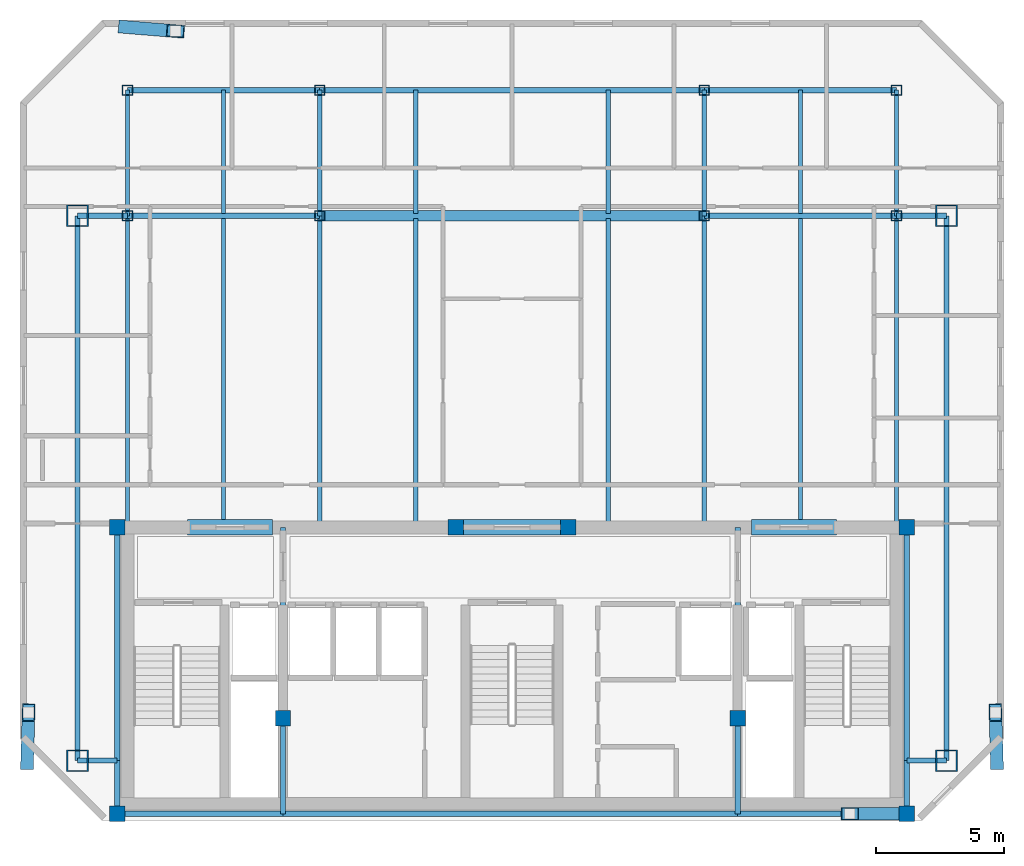
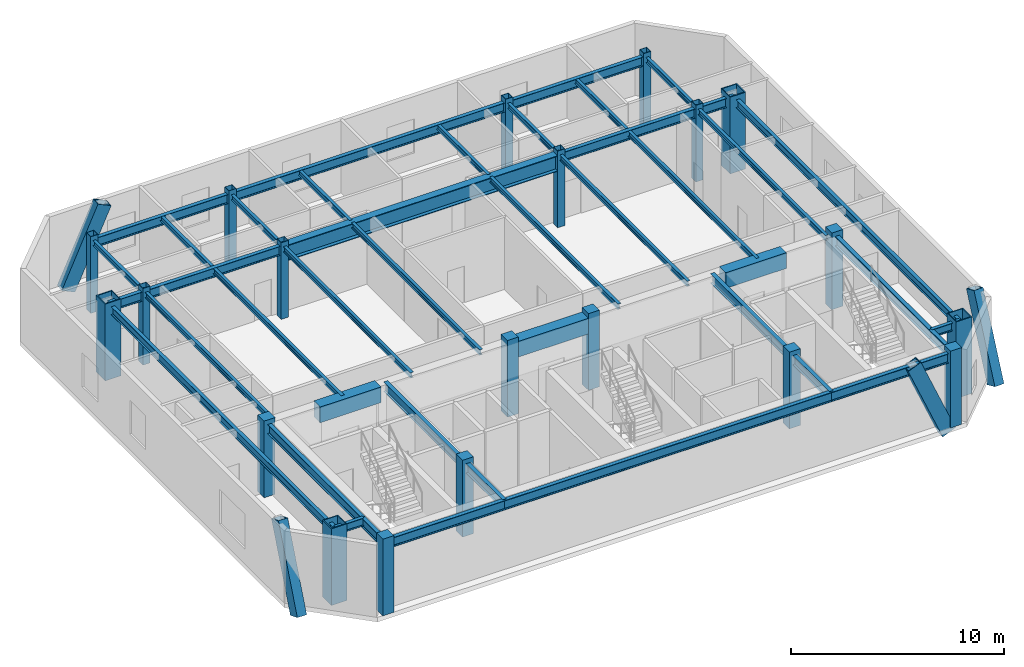
# One storey, part 1 of 6: 42 beams, 20 columns, 4 members.
"""IFC4 building model written with IfcOpenShell, lengths in metres."""

from ifc_helpers import new_model, si_unit, direction, frame, origin, origin_2d, place, context, subcontext, project, spatial, rectangle, hollow_rectangle, i_section, extrude, material, material_profile, profile_set, type_object, element, save


model = new_model("IFC4")

# Units and contexts
model_context = context("Model", 3, precision=1e-05, world=origin(), true_north=direction((0.0, 1.0)))
body_context = subcontext(model_context, "Body", "Model", "MODEL_VIEW")
ifc_project = project(units=[si_unit("LENGTHUNIT", "METRE"), si_unit("AREAUNIT", "SQUARE_METRE"), si_unit("VOLUMEUNIT", "CUBIC_METRE"), si_unit("PLANEANGLEUNIT", "RADIAN"), si_unit("MASSUNIT", "GRAM", prefix="KILO")], contexts=[model_context])

# Site, building, storey
site_placement = place(None, origin())
site = spatial("IfcSite", under=ifc_project, at=site_placement, CompositionType="ELEMENT")
building_placement = place(site_placement, origin())
building = spatial("IfcBuilding", under=site, at=building_placement, Name="Ventersveld Concourse Tower", CompositionType="ELEMENT")
storey_placement = place(building_placement, frame((0.0, 0.0, 349.050048828125)))
storey = spatial("IfcBuildingStorey", under=building, at=storey_placement, Name="L86", CompositionType="ELEMENT", Elevation=349.050048828125)

# Columns
ifc_material_1 = material(Name="Concrete C50/60", Category="concrete")
ifc_material_profile_1 = material_profile(ifc_material_1, rectangle(XDim=0.60009765625, YDim=0.60009765625, at=origin_2d()), Name="RC 600x600")
ifc_profile_set_1 = profile_set([ifc_material_profile_1], Name="Concrete C50/60")
column_type_1 = type_object("IfcColumnType", Name="COL-RC600", PredefinedType="COLUMN", material=ifc_profile_set_1)
for number, where, z_axis, x_axis, name in (
    (1, (13.35009765625, 0.280029296875, 0.0), (0.0, 0.0, 1.0), (1.0, 0.0, 0.0), "L86 Core Spine Column CC-SW"),
    (2, (44.14990234375, 0.280029296875, 0.0), (0.0, 0.0, 1.0), (1.0, 0.0, 0.0), "L86 Core Spine Column CC-SE"),
    (3, (13.35009765625, 11.449951171875, 0.0), (0.0, 0.0, 1.0), (1.0, 0.0, 0.0), "L86 Core Spine Column CC-NW"),
    (4, (44.14990234375, 11.449951171875, 0.0), (0.0, 0.0, 1.0), (1.0, 0.0, 0.0), "L86 Core Spine Column CC-NE"),
    (5, (19.820068359375, 4.0, 0.0), (0.0, 0.0, 1.0), (1.0, 0.0, 0.0), "L86 Core Spine Column CM-1"),
    (6, (37.550048828125, 4.0, 0.0), (0.0, 0.0, 1.0), (1.0, 0.0, 0.0), "L86 Core Spine Column CM-2"),
    (7, (26.550048828125, 11.449951171875, 0.0), (0.0, 0.0, 1.0), (1.0, 0.0, 0.0), "L86 Core Spine Column CM-3"),
    (8, (30.949951171875, 11.449951171875, 0.0), (0.0, 0.0, 1.0), (1.0, 0.0, 0.0), "L86 Core Spine Column CM-4"),
):
    element("IfcColumn", number, at=place(storey_placement, frame(where, z_axis=z_axis, x_axis=x_axis)), inside=storey, type_object=column_type_1, Name=name, PredefinedType="COLUMN", context=body_context, shape_type="SweptSolid", body=[
        extrude(rectangle(XDim=0.60009765625, YDim=0.60009765625, at=origin_2d()), origin(), (0.0, 0.0, 1.0), 4.39990234375),
    ])
ifc_material_2 = material(Name="Structural steel S355J2", Category="steel")
ifc_material_profile_2 = material_profile(ifc_material_2, hollow_rectangle(XDim=0.39990234375, YDim=0.39990234375, WallThickness=0.02001953125, at=origin_2d()), Name="SHS 400x400x20")
ifc_profile_set_2 = profile_set([ifc_material_profile_2], Name="Structural steel S355J2")
column_type_2 = type_object("IfcColumnType", Name="COL-SHS400", PredefinedType="COLUMN", material=ifc_profile_set_2)
for number, where, z_axis, x_axis, name in (
    (9, (13.75, 23.60009765625, 0.0), (0.0, 0.0, 1.0), (1.0, 0.0, 0.0), "L86 Interior Gravity Column X=13.75 Y=23.60"),
    (10, (21.25, 23.60009765625, 0.0), (0.0, 0.0, 1.0), (1.0, 0.0, 0.0), "L86 Interior Gravity Column X=21.25 Y=23.60"),
    (11, (36.25, 23.60009765625, 0.0), (0.0, 0.0, 1.0), (1.0, 0.0, 0.0), "L86 Interior Gravity Column X=36.25 Y=23.60"),
    (12, (43.75, 23.60009765625, 0.0), (0.0, 0.0, 1.0), (1.0, 0.0, 0.0), "L86 Interior Gravity Column X=43.75 Y=23.60"),
    (13, (13.75, 28.5, 0.0), (0.0, 0.0, 1.0), (1.0, 0.0, 0.0), "L86 Upper-North Gravity Column X=13.75 Y=28.50"),
    (14, (21.25, 28.5, 0.0), (0.0, 0.0, 1.0), (1.0, 0.0, 0.0), "L86 Upper-North Gravity Column X=21.25 Y=28.50"),
    (15, (36.25, 28.5, 0.0), (0.0, 0.0, 1.0), (1.0, 0.0, 0.0), "L86 Upper-North Gravity Column X=36.25 Y=28.50"),
    (16, (43.75, 28.5, 0.0), (0.0, 0.0, 1.0), (1.0, 0.0, 0.0), "L86 Upper-North Gravity Column X=43.75 Y=28.50"),
):
    element("IfcColumn", number, at=place(storey_placement, frame(where, z_axis=z_axis, x_axis=x_axis)), inside=storey, type_object=column_type_2, Name=name, PredefinedType="COLUMN", context=body_context, shape_type="SweptSolid", body=[
        extrude(hollow_rectangle(XDim=0.39990234375, YDim=0.39990234375, WallThickness=0.02001953125, at=origin_2d()), origin(), (0.0, 0.0, 1.0), 4.39990234375),
    ])
ifc_material_3 = material(Name="Structural steel S460ML", Category="steel")
ifc_material_profile_3 = material_profile(ifc_material_3, hollow_rectangle(XDim=0.85009765625, YDim=0.85009765625, WallThickness=0.050048828125, at=origin_2d()), Name="BOX 850x850x50")
ifc_profile_set_3 = profile_set([ifc_material_profile_3], Name="Structural steel S460ML")
column_type_3 = type_object("IfcColumnType", Name="MC-850", PredefinedType="USERDEFINED", material=ifc_profile_set_3)
for number, where, z_axis, x_axis, name in (
    (17, (11.800048828125, 2.35009765625, 0.0), (0.0, 0.0, 1.0), (1.0, 0.0, 0.0), "L86 Corner Mega-Column MC-SW"),
    (18, (45.699951171875, 2.35009765625, 0.0), (0.0, 0.0, 1.0), (1.0, 0.0, 0.0), "L86 Corner Mega-Column MC-SE"),
    (19, (45.699951171875, 23.60009765625, 0.0), (0.0, 0.0, 1.0), (1.0, 0.0, 0.0), "L86 Corner Mega-Column MC-NE"),
    (20, (11.800048828125, 23.60009765625, 0.0), (0.0, 0.0, 1.0), (1.0, 0.0, 0.0), "L86 Corner Mega-Column MC-NW"),
):
    element("IfcColumn", number, at=place(storey_placement, frame(where, z_axis=z_axis, x_axis=x_axis)), inside=storey, type_object=column_type_3, Name=name, ObjectType="MEGA_COLUMN", PredefinedType="USERDEFINED", context=body_context, shape_type="SweptSolid", body=[
        extrude(hollow_rectangle(XDim=0.85009765625, YDim=0.85009765625, WallThickness=0.050048828125, at=origin_2d()), origin(), (0.0, 0.0, 1.0), 4.39990234375),
    ])

# Beams
ifc_material_profile_4 = material_profile(ifc_material_2, i_section(OverallWidth=0.1650390625, OverallDepth=0.303466796875, WebThickness=0.006103515625, FlangeThickness=0.01025390625, FilletRadius=0.0087890625, at=origin_2d()), Name="UB 305x165x40")
ifc_profile_set_4 = profile_set([ifc_material_profile_4], Name="Structural steel S355J2")
beam_type_1 = type_object("IfcBeamType", Name="BM-UB305", PredefinedType="BEAM", material=ifc_profile_set_4)
beam_1_placement = place(storey_placement, frame((13.75, 11.449951171875, 3.98828125), z_axis=(0.0, 1.0, 0.0), x_axis=(-1.0, 0.0, 0.0)))
element("IfcBeam", 21, at=beam_1_placement, inside=storey, type_object=beam_type_1, Name="L86 N-S Composite Floor Beam South X=13.75", PredefinedType="BEAM", context=body_context, shape_type="SweptSolid", body=[
    extrude(i_section(OverallWidth=0.1650390625, OverallDepth=0.303466796875, WebThickness=0.006103515625, FlangeThickness=0.01025390625, FilletRadius=0.0087890625, at=origin_2d()), origin(), (0.0, 0.0, 1.0), 12.150146484375),
])
beam_2_placement = place(storey_placement, frame((13.75, 23.60009765625, 3.98828125), z_axis=(0.0, 1.0, 0.0), x_axis=(-1.0, 0.0, 0.0)))
element("IfcBeam", 22, at=beam_2_placement, inside=storey, type_object=beam_type_1, Name="L86 N-S Upper-Zone Floor Beam X=13.75", PredefinedType="BEAM", context=body_context, shape_type="SweptSolid", body=[
    extrude(i_section(OverallWidth=0.1650390625, OverallDepth=0.303466796875, WebThickness=0.006103515625, FlangeThickness=0.01025390625, FilletRadius=0.0087890625, at=origin_2d()), origin(), (0.0, 0.0, 1.0), 4.89990234375),
])
beam_3_placement = place(storey_placement, frame((17.5, 11.449951171875, 3.98828125), z_axis=(0.0, 1.0, 0.0), x_axis=(-1.0, 0.0, 0.0)))
element("IfcBeam", 23, at=beam_3_placement, inside=storey, type_object=beam_type_1, Name="L86 N-S Composite Floor Beam South X=17.50", PredefinedType="BEAM", context=body_context, shape_type="SweptSolid", body=[
    extrude(i_section(OverallWidth=0.1650390625, OverallDepth=0.303466796875, WebThickness=0.006103515625, FlangeThickness=0.01025390625, FilletRadius=0.0087890625, at=origin_2d()), origin(), (0.0, 0.0, 1.0), 12.054931640625),
])
beam_4_placement = place(storey_placement, frame((17.5, 23.695068359375, 3.98828125), z_axis=(0.0, 1.0, 0.0), x_axis=(-1.0, 0.0, 0.0)))
element("IfcBeam", 24, at=beam_4_placement, inside=storey, type_object=beam_type_1, Name="L86 N-S Upper-Zone Floor Beam X=17.50", PredefinedType="BEAM", context=body_context, shape_type="SweptSolid", body=[
    extrude(i_section(OverallWidth=0.1650390625, OverallDepth=0.303466796875, WebThickness=0.006103515625, FlangeThickness=0.01025390625, FilletRadius=0.0087890625, at=origin_2d()), origin(), (0.0, 0.0, 1.0), 4.804931640625),
])
beam_5_placement = place(storey_placement, frame((21.25, 11.449951171875, 3.98828125), z_axis=(0.0, 1.0, 0.0), x_axis=(-1.0, 0.0, 0.0)))
element("IfcBeam", 25, at=beam_5_placement, inside=storey, type_object=beam_type_1, Name="L86 N-S Composite Floor Beam South X=21.25", PredefinedType="BEAM", context=body_context, shape_type="SweptSolid", body=[
    extrude(i_section(OverallWidth=0.1650390625, OverallDepth=0.303466796875, WebThickness=0.006103515625, FlangeThickness=0.01025390625, FilletRadius=0.0087890625, at=origin_2d()), origin(), (0.0, 0.0, 1.0), 12.150146484375),
])
beam_6_placement = place(storey_placement, frame((21.25, 23.60009765625, 3.98828125), z_axis=(0.0, 1.0, 0.0), x_axis=(-1.0, 0.0, 0.0)))
element("IfcBeam", 26, at=beam_6_placement, inside=storey, type_object=beam_type_1, Name="L86 N-S Upper-Zone Floor Beam X=21.25", PredefinedType="BEAM", context=body_context, shape_type="SweptSolid", body=[
    extrude(i_section(OverallWidth=0.1650390625, OverallDepth=0.303466796875, WebThickness=0.006103515625, FlangeThickness=0.01025390625, FilletRadius=0.0087890625, at=origin_2d()), origin(), (0.0, 0.0, 1.0), 4.89990234375),
])
beam_7_placement = place(storey_placement, frame((25.0, 11.449951171875, 3.98828125), z_axis=(0.0, 1.0, 0.0), x_axis=(-1.0, 0.0, 0.0)))
element("IfcBeam", 27, at=beam_7_placement, inside=storey, type_object=beam_type_1, Name="L86 N-S Composite Floor Beam South X=25.00", PredefinedType="BEAM", context=body_context, shape_type="SweptSolid", body=[
    extrude(i_section(OverallWidth=0.1650390625, OverallDepth=0.303466796875, WebThickness=0.006103515625, FlangeThickness=0.01025390625, FilletRadius=0.0087890625, at=origin_2d()), origin(), (0.0, 0.0, 1.0), 12.054931640625),
])
beam_8_placement = place(storey_placement, frame((25.0, 23.695068359375, 3.98828125), z_axis=(0.0, 1.0, 0.0), x_axis=(-1.0, 0.0, 0.0)))
element("IfcBeam", 28, at=beam_8_placement, inside=storey, type_object=beam_type_1, Name="L86 N-S Upper-Zone Floor Beam X=25.00", PredefinedType="BEAM", context=body_context, shape_type="SweptSolid", body=[
    extrude(i_section(OverallWidth=0.1650390625, OverallDepth=0.303466796875, WebThickness=0.006103515625, FlangeThickness=0.01025390625, FilletRadius=0.0087890625, at=origin_2d()), origin(), (0.0, 0.0, 1.0), 4.804931640625),
])
beam_9_placement = place(storey_placement, frame((32.5, 11.449951171875, 3.98828125), z_axis=(0.0, 1.0, 0.0), x_axis=(-1.0, 0.0, 0.0)))
element("IfcBeam", 29, at=beam_9_placement, inside=storey, type_object=beam_type_1, Name="L86 N-S Composite Floor Beam South X=32.50", PredefinedType="BEAM", context=body_context, shape_type="SweptSolid", body=[
    extrude(i_section(OverallWidth=0.1650390625, OverallDepth=0.303466796875, WebThickness=0.006103515625, FlangeThickness=0.01025390625, FilletRadius=0.0087890625, at=origin_2d()), origin(), (0.0, 0.0, 1.0), 12.054931640625),
])
beam_10_placement = place(storey_placement, frame((32.5, 23.695068359375, 3.98828125), z_axis=(0.0, 1.0, 0.0), x_axis=(-1.0, 0.0, 0.0)))
element("IfcBeam", 30, at=beam_10_placement, inside=storey, type_object=beam_type_1, Name="L86 N-S Upper-Zone Floor Beam X=32.50", PredefinedType="BEAM", context=body_context, shape_type="SweptSolid", body=[
    extrude(i_section(OverallWidth=0.1650390625, OverallDepth=0.303466796875, WebThickness=0.006103515625, FlangeThickness=0.01025390625, FilletRadius=0.0087890625, at=origin_2d()), origin(), (0.0, 0.0, 1.0), 4.804931640625),
])
beam_11_placement = place(storey_placement, frame((36.25, 11.449951171875, 3.98828125), z_axis=(0.0, 1.0, 0.0), x_axis=(-1.0, 0.0, 0.0)))
element("IfcBeam", 31, at=beam_11_placement, inside=storey, type_object=beam_type_1, Name="L86 N-S Composite Floor Beam South X=36.25", PredefinedType="BEAM", context=body_context, shape_type="SweptSolid", body=[
    extrude(i_section(OverallWidth=0.1650390625, OverallDepth=0.303466796875, WebThickness=0.006103515625, FlangeThickness=0.01025390625, FilletRadius=0.0087890625, at=origin_2d()), origin(), (0.0, 0.0, 1.0), 12.150146484375),
])
beam_12_placement = place(storey_placement, frame((36.25, 23.60009765625, 3.98828125), z_axis=(0.0, 1.0, 0.0), x_axis=(-1.0, 0.0, 0.0)))
element("IfcBeam", 32, at=beam_12_placement, inside=storey, type_object=beam_type_1, Name="L86 N-S Upper-Zone Floor Beam X=36.25", PredefinedType="BEAM", context=body_context, shape_type="SweptSolid", body=[
    extrude(i_section(OverallWidth=0.1650390625, OverallDepth=0.303466796875, WebThickness=0.006103515625, FlangeThickness=0.01025390625, FilletRadius=0.0087890625, at=origin_2d()), origin(), (0.0, 0.0, 1.0), 4.89990234375),
])
beam_13_placement = place(storey_placement, frame((40.0, 11.449951171875, 3.98828125), z_axis=(0.0, 1.0, 0.0), x_axis=(-1.0, 0.0, 0.0)))
element("IfcBeam", 33, at=beam_13_placement, inside=storey, type_object=beam_type_1, Name="L86 N-S Composite Floor Beam South X=40.00", PredefinedType="BEAM", context=body_context, shape_type="SweptSolid", body=[
    extrude(i_section(OverallWidth=0.1650390625, OverallDepth=0.303466796875, WebThickness=0.006103515625, FlangeThickness=0.01025390625, FilletRadius=0.0087890625, at=origin_2d()), origin(), (0.0, 0.0, 1.0), 12.054931640625),
])
beam_14_placement = place(storey_placement, frame((40.0, 23.695068359375, 3.98828125), z_axis=(0.0, 1.0, 0.0), x_axis=(-1.0, 0.0, 0.0)))
element("IfcBeam", 34, at=beam_14_placement, inside=storey, type_object=beam_type_1, Name="L86 N-S Upper-Zone Floor Beam X=40.00", PredefinedType="BEAM", context=body_context, shape_type="SweptSolid", body=[
    extrude(i_section(OverallWidth=0.1650390625, OverallDepth=0.303466796875, WebThickness=0.006103515625, FlangeThickness=0.01025390625, FilletRadius=0.0087890625, at=origin_2d()), origin(), (0.0, 0.0, 1.0), 4.804931640625),
])
beam_15_placement = place(storey_placement, frame((43.75, 11.449951171875, 3.98828125), z_axis=(0.0, 1.0, 0.0), x_axis=(-1.0, 0.0, 0.0)))
element("IfcBeam", 35, at=beam_15_placement, inside=storey, type_object=beam_type_1, Name="L86 N-S Composite Floor Beam South X=43.75", PredefinedType="BEAM", context=body_context, shape_type="SweptSolid", body=[
    extrude(i_section(OverallWidth=0.1650390625, OverallDepth=0.303466796875, WebThickness=0.006103515625, FlangeThickness=0.01025390625, FilletRadius=0.0087890625, at=origin_2d()), origin(), (0.0, 0.0, 1.0), 12.150146484375),
])
beam_16_placement = place(storey_placement, frame((43.75, 23.60009765625, 3.98828125), z_axis=(0.0, 1.0, 0.0), x_axis=(-1.0, 0.0, 0.0)))
element("IfcBeam", 36, at=beam_16_placement, inside=storey, type_object=beam_type_1, Name="L86 N-S Upper-Zone Floor Beam X=43.75", PredefinedType="BEAM", context=body_context, shape_type="SweptSolid", body=[
    extrude(i_section(OverallWidth=0.1650390625, OverallDepth=0.303466796875, WebThickness=0.006103515625, FlangeThickness=0.01025390625, FilletRadius=0.0087890625, at=origin_2d()), origin(), (0.0, 0.0, 1.0), 4.89990234375),
])
ifc_material_profile_5 = material_profile(ifc_material_1, rectangle(XDim=0.60009765625, YDim=0.89990234375, at=origin_2d()), Name="RC 600x900")
ifc_profile_set_5 = profile_set([ifc_material_profile_5], Name="Concrete C50/60")
beam_type_2 = type_object("IfcBeamType", Name="CB-RC600x900U", PredefinedType="LINTEL", material=ifc_profile_set_5)
beam_17_placement = place(storey_placement, frame((16.10009765625, 11.449951171875, 3.68994140625), z_axis=(1.0, 0.0, 0.0), x_axis=(0.0, 1.0, 0.0)))
element("IfcBeam", 37, at=beam_17_placement, inside=storey, type_object=beam_type_2, Name="L86 Core Coupling Lintel Beam 1", PredefinedType="LINTEL", context=body_context, shape_type="SweptSolid", body=[
    extrude(rectangle(XDim=0.60009765625, YDim=0.89990234375, at=origin_2d()), origin(), (0.0, 0.0, 1.0), 3.2998046875),
])
beam_18_placement = place(storey_placement, frame((26.5, 11.449951171875, 3.68994140625), z_axis=(1.0, 0.0, 0.0), x_axis=(0.0, 1.0, 0.0)))
element("IfcBeam", 38, at=beam_18_placement, inside=storey, type_object=beam_type_2, Name="L86 Core Coupling Lintel Beam 2", PredefinedType="LINTEL", context=body_context, shape_type="SweptSolid", body=[
    extrude(rectangle(XDim=0.60009765625, YDim=0.89990234375, at=origin_2d()), origin(), (0.0, 0.0, 1.0), 4.5),
])
beam_19_placement = place(storey_placement, frame((38.10009765625, 11.449951171875, 3.68994140625), z_axis=(1.0, 0.0, 0.0), x_axis=(0.0, 1.0, 0.0)))
element("IfcBeam", 39, at=beam_19_placement, inside=storey, type_object=beam_type_2, Name="L86 Core Coupling Lintel Beam 3", PredefinedType="LINTEL", context=body_context, shape_type="SweptSolid", body=[
    extrude(rectangle(XDim=0.60009765625, YDim=0.89990234375, at=origin_2d()), origin(), (0.0, 0.0, 1.0), 3.2998046875),
])
ifc_material_profile_6 = material_profile(ifc_material_2, i_section(OverallWidth=0.39990234375, OverallDepth=0.89990234375, WebThickness=0.02197265625, FlangeThickness=0.035888671875, at=origin_2d()), Name="PG 900x400x36")
ifc_profile_set_6 = profile_set([ifc_material_profile_6], Name="Structural steel S355J2")
beam_type_3 = type_object("IfcBeamType", Name="GRD-PG900", PredefinedType="USERDEFINED", material=ifc_profile_set_6)
beam_20_placement = place(storey_placement, frame((21.25, 23.60009765625, 3.68994140625), z_axis=(1.0, 0.0, 0.0), x_axis=(0.0, 1.0, 0.0)))
element("IfcBeam", 40, at=beam_20_placement, inside=storey, type_object=beam_type_3, Name="L86 Primary E-W Grid Girder Y=23.60 #3", ObjectType="GIRDER", PredefinedType="USERDEFINED", context=body_context, shape_type="SweptSolid", body=[
    extrude(i_section(OverallWidth=0.39990234375, OverallDepth=0.89990234375, WebThickness=0.02197265625, FlangeThickness=0.035888671875, at=origin_2d()), origin(), (0.0, 0.0, 1.0), 15.0),
])
ifc_material_profile_7 = material_profile(ifc_material_2, i_section(OverallWidth=0.209228515625, OverallDepth=0.533203125, WebThickness=0.010009765625, FlangeThickness=0.015625, FilletRadius=0.0126953125, at=origin_2d()), Name="UB 533x210x92")
ifc_profile_set_7 = profile_set([ifc_material_profile_7], Name="Structural steel S355J2")
beam_type_4 = type_object("IfcBeamType", Name="GRD-UB533", PredefinedType="T_BEAM", material=ifc_profile_set_7)
beam_21_placement = place(storey_placement, frame((11.800048828125, 23.60009765625, 3.87353515625), z_axis=(1.0, 0.0, 0.0), x_axis=(0.0, 1.0, 0.0)))
element("IfcBeam", 41, at=beam_21_placement, inside=storey, type_object=beam_type_4, Name="L86 Primary E-W Grid Girder Y=23.60 #1", PredefinedType="T_BEAM", context=body_context, shape_type="SweptSolid", body=[
    extrude(i_section(OverallWidth=0.209228515625, OverallDepth=0.533203125, WebThickness=0.010009765625, FlangeThickness=0.015625, FilletRadius=0.0126953125, at=origin_2d()), origin(), (0.0, 0.0, 1.0), 1.949951171875),
])
for number, where, z_axis, x_axis, name in (
    (42, (13.75, 23.60009765625, 3.87353515625), (1.0, 0.0, 0.0), (0.0, 1.0, 0.0), "L86 Primary E-W Grid Girder Y=23.60 #2"),
    (43, (36.25, 23.60009765625, 3.87353515625), (1.0, 0.0, 0.0), (0.0, 1.0, 0.0), "L86 Primary E-W Grid Girder Y=23.60 #4"),
):
    element("IfcBeam", number, at=place(storey_placement, frame(where, z_axis=z_axis, x_axis=x_axis)), inside=storey, type_object=beam_type_4, Name=name, PredefinedType="T_BEAM", context=body_context, shape_type="SweptSolid", body=[
        extrude(i_section(OverallWidth=0.209228515625, OverallDepth=0.533203125, WebThickness=0.010009765625, FlangeThickness=0.015625, FilletRadius=0.0126953125, at=origin_2d()), origin(), (0.0, 0.0, 1.0), 7.5),
    ])
beam_22_placement = place(storey_placement, frame((43.75, 23.60009765625, 3.87353515625), z_axis=(1.0, 0.0, 0.0), x_axis=(0.0, 1.0, 0.0)))
element("IfcBeam", 44, at=beam_22_placement, inside=storey, type_object=beam_type_4, Name="L86 Primary E-W Grid Girder Y=23.60 #5", PredefinedType="T_BEAM", context=body_context, shape_type="SweptSolid", body=[
    extrude(i_section(OverallWidth=0.209228515625, OverallDepth=0.533203125, WebThickness=0.010009765625, FlangeThickness=0.015625, FilletRadius=0.0126953125, at=origin_2d()), origin(), (0.0, 0.0, 1.0), 1.949951171875),
])
beam_23_placement = place(storey_placement, frame((13.75, 28.5, 3.87353515625), z_axis=(1.0, 0.0, 0.0), x_axis=(0.0, 1.0, 0.0)))
element("IfcBeam", 45, at=beam_23_placement, inside=storey, type_object=beam_type_4, Name="L86 Upper-North E-W Girder Y=28.50 #1", PredefinedType="T_BEAM", context=body_context, shape_type="SweptSolid", body=[
    extrude(i_section(OverallWidth=0.209228515625, OverallDepth=0.533203125, WebThickness=0.010009765625, FlangeThickness=0.015625, FilletRadius=0.0126953125, at=origin_2d()), origin(), (0.0, 0.0, 1.0), 7.5),
])
beam_24_placement = place(storey_placement, frame((21.25, 28.5, 3.87353515625), z_axis=(1.0, 0.0, 0.0), x_axis=(0.0, 1.0, 0.0)))
element("IfcBeam", 46, at=beam_24_placement, inside=storey, type_object=beam_type_4, Name="L86 Upper-North E-W Girder Y=28.50 #2", PredefinedType="T_BEAM", context=body_context, shape_type="SweptSolid", body=[
    extrude(i_section(OverallWidth=0.209228515625, OverallDepth=0.533203125, WebThickness=0.010009765625, FlangeThickness=0.015625, FilletRadius=0.0126953125, at=origin_2d()), origin(), (0.0, 0.0, 1.0), 15.0),
])
beam_25_placement = place(storey_placement, frame((36.25, 28.5, 3.87353515625), z_axis=(1.0, 0.0, 0.0), x_axis=(0.0, 1.0, 0.0)))
element("IfcBeam", 47, at=beam_25_placement, inside=storey, type_object=beam_type_4, Name="L86 Upper-North E-W Girder Y=28.50 #3", PredefinedType="T_BEAM", context=body_context, shape_type="SweptSolid", body=[
    extrude(i_section(OverallWidth=0.209228515625, OverallDepth=0.533203125, WebThickness=0.010009765625, FlangeThickness=0.015625, FilletRadius=0.0126953125, at=origin_2d()), origin(), (0.0, 0.0, 1.0), 7.5),
])
ifc_material_profile_8 = material_profile(ifc_material_2, i_section(OverallWidth=0.2119140625, OverallDepth=0.54443359375, WebThickness=0.0126953125, FlangeThickness=0.021240234375, FilletRadius=0.0126953125, at=origin_2d()), Name="UB 533x210x122")
ifc_profile_set_8 = profile_set([ifc_material_profile_8], Name="Structural steel S355J2")
beam_type_5 = type_object("IfcBeamType", Name="GRD-UB533H", PredefinedType="T_BEAM", material=ifc_profile_set_8)
beam_26_placement = place(storey_placement, frame((13.35009765625, 0.280029296875, 3.86767578125), z_axis=(0.0, 1.0, 0.0), x_axis=(-1.0, 0.0, 0.0)))
element("IfcBeam", 48, at=beam_26_placement, inside=storey, type_object=beam_type_5, Name="L86 Core West Tie Beam S", PredefinedType="T_BEAM", context=body_context, shape_type="SweptSolid", body=[
    extrude(i_section(OverallWidth=0.2119140625, OverallDepth=0.54443359375, WebThickness=0.0126953125, FlangeThickness=0.021240234375, FilletRadius=0.0126953125, at=origin_2d()), origin(), (0.0, 0.0, 1.0), 2.070068359375),
])
beam_27_placement = place(storey_placement, frame((13.35009765625, 2.35009765625, 3.86767578125), z_axis=(0.0, 1.0, 0.0), x_axis=(-1.0, 0.0, 0.0)))
element("IfcBeam", 49, at=beam_27_placement, inside=storey, type_object=beam_type_5, Name="L86 Core West Tie Beam N", PredefinedType="T_BEAM", context=body_context, shape_type="SweptSolid", body=[
    extrude(i_section(OverallWidth=0.2119140625, OverallDepth=0.54443359375, WebThickness=0.0126953125, FlangeThickness=0.021240234375, FilletRadius=0.0126953125, at=origin_2d()), origin(), (0.0, 0.0, 1.0), 9.099853515625),
])
beam_28_placement = place(storey_placement, frame((44.14990234375, 0.280029296875, 3.86767578125), z_axis=(0.0, 1.0, 0.0), x_axis=(-1.0, 0.0, 0.0)))
element("IfcBeam", 50, at=beam_28_placement, inside=storey, type_object=beam_type_5, Name="L86 Core East Tie Beam S", PredefinedType="T_BEAM", context=body_context, shape_type="SweptSolid", body=[
    extrude(i_section(OverallWidth=0.2119140625, OverallDepth=0.54443359375, WebThickness=0.0126953125, FlangeThickness=0.021240234375, FilletRadius=0.0126953125, at=origin_2d()), origin(), (0.0, 0.0, 1.0), 2.070068359375),
])
beam_29_placement = place(storey_placement, frame((44.14990234375, 2.35009765625, 3.86767578125), z_axis=(0.0, 1.0, 0.0), x_axis=(-1.0, 0.0, 0.0)))
element("IfcBeam", 51, at=beam_29_placement, inside=storey, type_object=beam_type_5, Name="L86 Core East Tie Beam N", PredefinedType="T_BEAM", context=body_context, shape_type="SweptSolid", body=[
    extrude(i_section(OverallWidth=0.2119140625, OverallDepth=0.54443359375, WebThickness=0.0126953125, FlangeThickness=0.021240234375, FilletRadius=0.0126953125, at=origin_2d()), origin(), (0.0, 0.0, 1.0), 9.099853515625),
])
beam_30_placement = place(storey_placement, frame((13.35009765625, 0.280029296875, 3.86767578125), z_axis=(1.0, 0.0, 0.0), x_axis=(0.0, 1.0, 0.0)))
element("IfcBeam", 52, at=beam_30_placement, inside=storey, type_object=beam_type_5, Name="L86 Core South Tie Beam W", PredefinedType="T_BEAM", context=body_context, shape_type="SweptSolid", body=[
    extrude(i_section(OverallWidth=0.2119140625, OverallDepth=0.54443359375, WebThickness=0.0126953125, FlangeThickness=0.021240234375, FilletRadius=0.0126953125, at=origin_2d()), origin(), (0.0, 0.0, 1.0), 6.469970703125),
])
beam_31_placement = place(storey_placement, frame((19.820068359375, 0.280029296875, 3.86767578125), z_axis=(1.0, 0.0, 0.0), x_axis=(0.0, 1.0, 0.0)))
element("IfcBeam", 53, at=beam_31_placement, inside=storey, type_object=beam_type_5, Name="L86 Core South Tie Beam C", PredefinedType="T_BEAM", context=body_context, shape_type="SweptSolid", body=[
    extrude(i_section(OverallWidth=0.2119140625, OverallDepth=0.54443359375, WebThickness=0.0126953125, FlangeThickness=0.021240234375, FilletRadius=0.0126953125, at=origin_2d()), origin(), (0.0, 0.0, 1.0), 17.72998046875),
])
beam_32_placement = place(storey_placement, frame((37.550048828125, 0.280029296875, 3.86767578125), z_axis=(1.0, 0.0, 0.0), x_axis=(0.0, 1.0, 0.0)))
element("IfcBeam", 54, at=beam_32_placement, inside=storey, type_object=beam_type_5, Name="L86 Core South Tie Beam E", PredefinedType="T_BEAM", context=body_context, shape_type="SweptSolid", body=[
    extrude(i_section(OverallWidth=0.2119140625, OverallDepth=0.54443359375, WebThickness=0.0126953125, FlangeThickness=0.021240234375, FilletRadius=0.0126953125, at=origin_2d()), origin(), (0.0, 0.0, 1.0), 6.599853515625),
])
beam_33_placement = place(storey_placement, frame((19.820068359375, 0.280029296875, 3.86767578125), z_axis=(0.0, 1.0, 0.0), x_axis=(-1.0, 0.0, 0.0)))
element("IfcBeam", 55, at=beam_33_placement, inside=storey, type_object=beam_type_5, Name="L86 Core Spine N-S Tie Beam W1", PredefinedType="T_BEAM", context=body_context, shape_type="SweptSolid", body=[
    extrude(i_section(OverallWidth=0.2119140625, OverallDepth=0.54443359375, WebThickness=0.0126953125, FlangeThickness=0.021240234375, FilletRadius=0.0126953125, at=origin_2d()), origin(), (0.0, 0.0, 1.0), 3.719970703125),
])
beam_34_placement = place(storey_placement, frame((19.820068359375, 4.0, 3.86767578125), z_axis=(0.0, 1.0, 0.0), x_axis=(-1.0, 0.0, 0.0)))
element("IfcBeam", 56, at=beam_34_placement, inside=storey, type_object=beam_type_5, Name="L86 Core Spine N-S Tie Beam W2", PredefinedType="T_BEAM", context=body_context, shape_type="SweptSolid", body=[
    extrude(i_section(OverallWidth=0.2119140625, OverallDepth=0.54443359375, WebThickness=0.0126953125, FlangeThickness=0.021240234375, FilletRadius=0.0126953125, at=origin_2d()), origin(), (0.0, 0.0, 1.0), 7.449951171875),
])
beam_35_placement = place(storey_placement, frame((37.550048828125, 0.280029296875, 3.86767578125), z_axis=(0.0, 1.0, 0.0), x_axis=(-1.0, 0.0, 0.0)))
element("IfcBeam", 57, at=beam_35_placement, inside=storey, type_object=beam_type_5, Name="L86 Core Spine N-S Tie Beam E1", PredefinedType="T_BEAM", context=body_context, shape_type="SweptSolid", body=[
    extrude(i_section(OverallWidth=0.2119140625, OverallDepth=0.54443359375, WebThickness=0.0126953125, FlangeThickness=0.021240234375, FilletRadius=0.0126953125, at=origin_2d()), origin(), (0.0, 0.0, 1.0), 3.719970703125),
])
beam_36_placement = place(storey_placement, frame((37.550048828125, 4.0, 3.86767578125), z_axis=(0.0, 1.0, 0.0), x_axis=(-1.0, 0.0, 0.0)))
element("IfcBeam", 58, at=beam_36_placement, inside=storey, type_object=beam_type_5, Name="L86 Core Spine N-S Tie Beam E2", PredefinedType="T_BEAM", context=body_context, shape_type="SweptSolid", body=[
    extrude(i_section(OverallWidth=0.2119140625, OverallDepth=0.54443359375, WebThickness=0.0126953125, FlangeThickness=0.021240234375, FilletRadius=0.0126953125, at=origin_2d()), origin(), (0.0, 0.0, 1.0), 7.449951171875),
])

# Members
ifc_material_4 = material(Name="Structural steel S355ML", Category="steel")
ifc_material_profile_9 = material_profile(ifc_material_4, hollow_rectangle(XDim=0.5, YDim=0.75, WallThickness=0.034912109375, at=origin_2d()), Name="BOX 750x500x35")
ifc_profile_set_9 = profile_set([ifc_material_profile_9], Name="Structural steel S355ML")
member_type = type_object("IfcMemberType", Name="MB-750x500", PredefinedType="BRACE", material=ifc_profile_set_9)
member_1_placement = place(storey_placement, frame((13.75, 30.956787109375, -0.260009765625), z_axis=(0.391830082023, -0.032193330958, 0.919474184664), x_axis=(0.08188553882, 0.996641740312, 0.0)))
element("IfcMember", 59, at=member_1_placement, inside=storey, type_object=member_type, Name="L86 Exterior Mega-Brace N (Module M21)", PredefinedType="BRACE", context=body_context, shape_type="SweptSolid", body=[
    extrude(hollow_rectangle(XDim=0.5, YDim=0.75, WallThickness=0.034912109375, at=origin_2d()), origin(), (0.0, 0.0, 1.0), 4.78515625),
])
member_2_placement = place(storey_placement, frame((43.800048828125, 0.280029296875, -0.260009765625), z_axis=(-0.392033288408, 0.0, 0.91995103173), x_axis=(0.0, -1.0, 0.0)))
element("IfcMember", 60, at=member_2_placement, inside=storey, type_object=member_type, Name="L86 Exterior Mega-Brace S (Module M21)", PredefinedType="BRACE", context=body_context, shape_type="SweptSolid", body=[
    extrude(hollow_rectangle(XDim=0.5, YDim=0.75, WallThickness=0.034912109375, at=origin_2d()), origin(), (0.0, 0.0, 1.0), 4.78271484375),
])
for number, where, z_axis, x_axis, name in (
    (61, (9.841796875, 2.35009765625, -0.260009765625), (0.011127339294, 0.39200901733, 0.919894076865), (-0.999597377348, 0.028373988055, 0.0), "L86 Exterior Mega-Brace W (Module M21)"),
    (62, (47.658203125, 2.35009765625, -0.260009765625), (-0.011127339294, 0.39200901733, 0.919894076865), (-0.999597377348, -0.028373988055, 0.0), "L86 Exterior Mega-Brace E (Module M21)"),
):
    element("IfcMember", number, at=place(storey_placement, frame(where, z_axis=z_axis, x_axis=x_axis)), inside=storey, type_object=member_type, Name=name, PredefinedType="BRACE", context=body_context, shape_type="SweptSolid", body=[
        extrude(hollow_rectangle(XDim=0.5, YDim=0.75, WallThickness=0.034912109375, at=origin_2d()), origin(), (0.0, 0.0, 1.0), 4.782958984375),
    ])

# Beams
ifc_material_profile_10 = material_profile(ifc_material_2, i_section(OverallWidth=0.19140625, OverallDepth=0.4599609375, WebThickness=0.010009765625, FlangeThickness=0.01611328125, FilletRadius=0.01025390625, at=origin_2d()), Name="UB 457x191x82")
ifc_profile_set_10 = profile_set([ifc_material_profile_10], Name="Structural steel S355J2")
beam_type_6 = type_object("IfcBeamType", Name="SPD-UB457", PredefinedType="SPANDREL", material=ifc_profile_set_10)
for number, where, z_axis, x_axis, name in (
    (63, (11.800048828125, 2.35009765625, 3.909912109375), (1.0, 0.0, 0.0), (0.0, 1.0, 0.0), "L86 SW Spandrel Beam"),
    (64, (44.14990234375, 2.35009765625, 3.909912109375), (1.0, 0.0, 0.0), (0.0, 1.0, 0.0), "L86 SE Spandrel Beam"),
):
    element("IfcBeam", number, at=place(storey_placement, frame(where, z_axis=z_axis, x_axis=x_axis)), inside=storey, type_object=beam_type_6, Name=name, PredefinedType="SPANDREL", context=body_context, shape_type="SweptSolid", body=[
        extrude(i_section(OverallWidth=0.19140625, OverallDepth=0.4599609375, WebThickness=0.010009765625, FlangeThickness=0.01611328125, FilletRadius=0.01025390625, at=origin_2d()), origin(), (0.0, 0.0, 1.0), 1.550048828125),
    ])
for number, where, z_axis, x_axis, name in (
    (65, (11.800048828125, 2.35009765625, 3.909912109375), (0.0, 1.0, 0.0), (-1.0, 0.0, 0.0), "L86 West Spandrel Beam"),
    (66, (45.699951171875, 2.35009765625, 3.909912109375), (0.0, 1.0, 0.0), (-1.0, 0.0, 0.0), "L86 East Spandrel Beam"),
):
    element("IfcBeam", number, at=place(storey_placement, frame(where, z_axis=z_axis, x_axis=x_axis)), inside=storey, type_object=beam_type_6, Name=name, PredefinedType="SPANDREL", context=body_context, shape_type="SweptSolid", body=[
        extrude(i_section(OverallWidth=0.19140625, OverallDepth=0.4599609375, WebThickness=0.010009765625, FlangeThickness=0.01611328125, FilletRadius=0.01025390625, at=origin_2d()), origin(), (0.0, 0.0, 1.0), 21.25),
    ])

save(model, "model.ifc")
